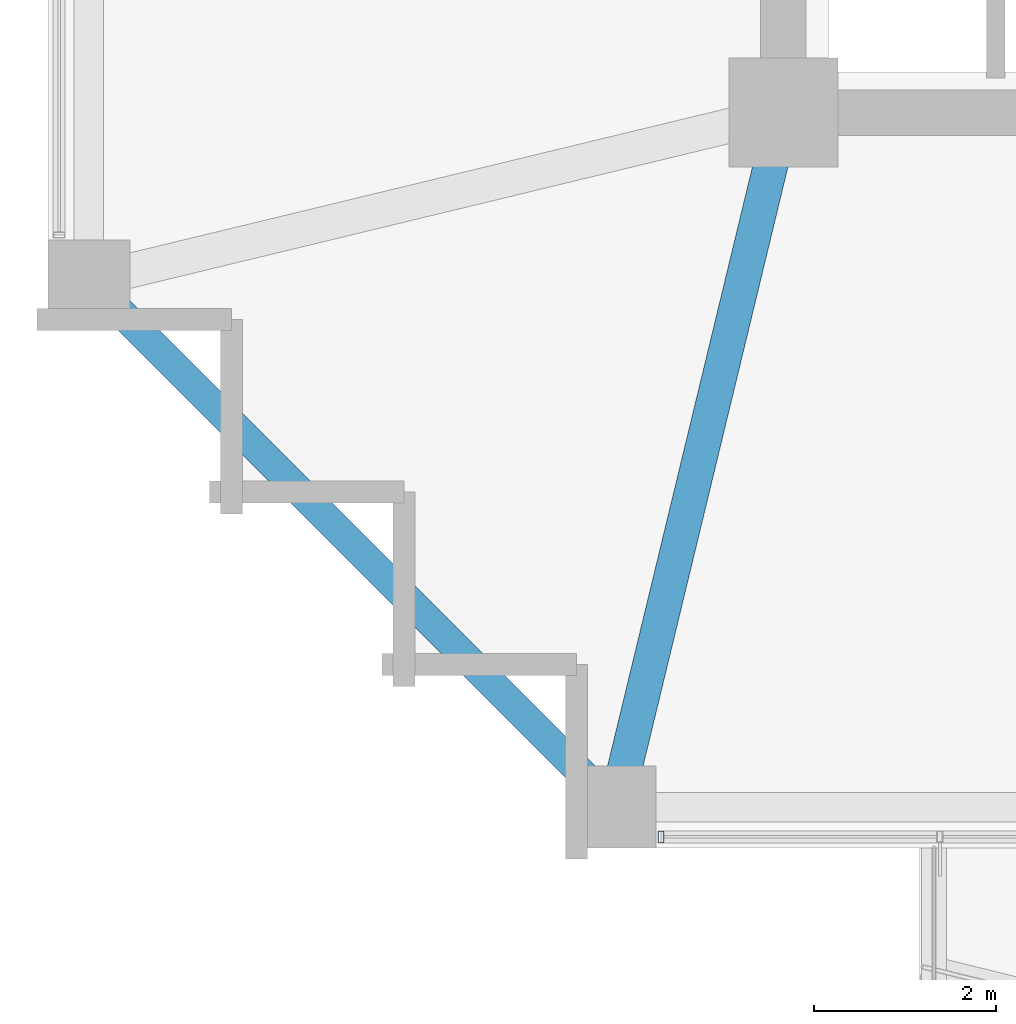
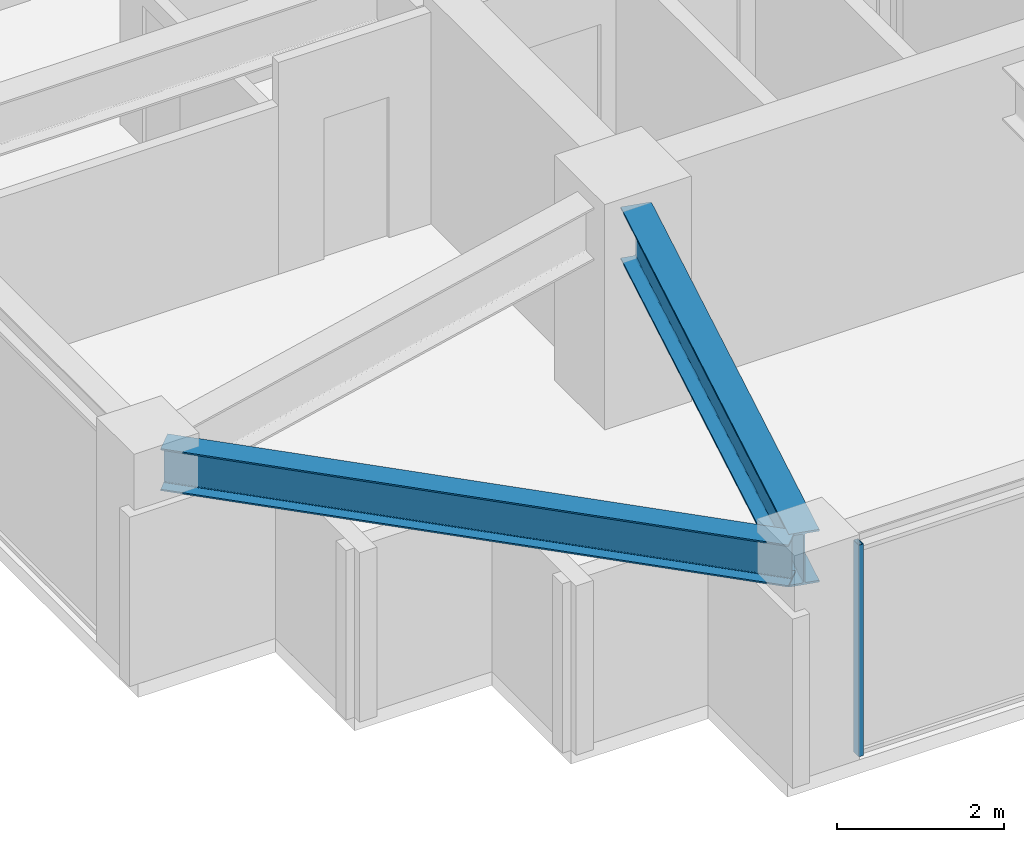
# One storey, part 2 of 31: 2 beams, 1 member, 1 element without a shape of its own.
"""IFC4 building model written with IfcOpenShell, lengths in metres."""

from ifc_helpers import new_model, si_unit, direction, frame, origin, origin_2d, place, context, subcontext, project, spatial, hollow_rectangle, i_section, extrude, material, material_profile, profile_set, type_object, element, aggregate, save


model = new_model("IFC4")

# Units and contexts
model_context = context("Model", 3, precision=1e-05, world=origin(), true_north=direction((0.0, 1.0)))
body_context = subcontext(model_context, "Body", "Model", "MODEL_VIEW")
ifc_project = project(units=[si_unit("LENGTHUNIT", "METRE"), si_unit("AREAUNIT", "SQUARE_METRE"), si_unit("VOLUMEUNIT", "CUBIC_METRE"), si_unit("PLANEANGLEUNIT", "RADIAN"), si_unit("MASSUNIT", "GRAM", prefix="KILO")], contexts=[model_context])

# Site, building, storey
site_placement = place(None, origin())
site = spatial("IfcSite", under=ifc_project, at=site_placement, CompositionType="ELEMENT")
building_placement = place(site_placement, origin())
building = spatial("IfcBuilding", under=site, at=building_placement, Name="Kolvaren Belvedere", CompositionType="ELEMENT")
storey_placement = place(building_placement, frame((0.0, 0.0, 138.199951171875)))
storey = spatial("IfcBuildingStorey", under=building, at=storey_placement, Name="L40", CompositionType="ELEMENT", Elevation=138.199951171875)

# Beams
ifc_material_1 = material(Name="Structural steel ASTM A992 Grade 50", Category="steel")
ifc_material_profile_1 = material_profile(ifc_material_1, i_section(OverallWidth=0.381103515625, OverallDepth=0.77294921875, WebThickness=0.0166015625, FlangeThickness=0.027099609375, FilletRadius=0.02392578125, at=origin_2d()), Name="W30X173")
ifc_profile_set_1 = profile_set([ifc_material_profile_1], Name="Structural steel ASTM A992 Grade 50")
beam_type_1 = type_object("IfcBeamType", Name="BM-GIRD-W30X173", PredefinedType="BEAM", material=ifc_profile_set_1)
beam_1_placement = place(storey_placement, frame((-10.029296875, -10.4345703125, 2.713623046875), z_axis=(-0.235062749937, -0.971980197119, 0.0), x_axis=(0.971980197119, -0.235062749937, 0.0)))
element("IfcBeam", 1, at=beam_1_placement, inside=storey, type_object=beam_type_1, Name="L40 Corner Core-to-Perimeter Girder CC1-S1", PredefinedType="BEAM", context=body_context, shape_type="SweptSolid", body=[
    extrude(i_section(OverallWidth=0.381103515625, OverallDepth=0.77294921875, WebThickness=0.0166015625, FlangeThickness=0.027099609375, FilletRadius=0.02392578125, at=origin_2d()), origin(), (0.0, 0.0, 1.0), 7.140625),
])
ifc_material_2 = material(Name="Structural steel ASTM A992 Grade 50", Category="steel")
ifc_material_profile_2 = material_profile(ifc_material_2, i_section(OverallWidth=0.324951171875, OverallDepth=0.615966796875, WebThickness=0.013916015625, FlangeThickness=0.021484375, FilletRadius=0.02001953125, at=origin_2d()), Name="W24X117")
ifc_profile_set_2 = profile_set([ifc_material_profile_2], Name="Structural steel ASTM A992 Grade 50")
beam_type_2 = type_object("IfcBeamType", Name="BM-SPAN-W24X117", PredefinedType="SPANDREL", material=ifc_profile_set_2)
beam_2_placement = place(storey_placement, frame((-17.40673828125, -11.893310546875, 2.7919921875), z_axis=(0.707106781187, -0.707106781187, 0.0), x_axis=(0.707106781187, 0.707106781187, 0.0)))
element("IfcBeam", 2, at=beam_2_placement, inside=storey, type_object=beam_type_2, Name="L40 Perimeter Spandrel W1-S1", PredefinedType="SPANDREL", context=body_context, shape_type="SweptSolid", body=[
    extrude(i_section(OverallWidth=0.324951171875, OverallDepth=0.615966796875, WebThickness=0.013916015625, FlangeThickness=0.021484375, FilletRadius=0.02001953125, at=origin_2d()), origin(), (0.0, 0.0, 1.0), 7.797119140625),
])

# Curtain wall, member
ifc_material_3 = material(Name="Anodised pale-metal aluminium AA 6063-T6", Category="aluminium")
curtain_wall_type = type_object("IfcCurtainWallType", Name="CW-Z3-WAIST", PredefinedType="NOTDEFINED", material=ifc_material_3)
curtain_wall_placement = place(storey_placement, origin())
curtain_wall = element("IfcCurtainWall", 3, at=curtain_wall_placement, inside=storey, type_object=curtain_wall_type, Name="L40 Unitised Curtain Wall FCW-L40-S2-B2", PredefinedType="NOTDEFINED")
ifc_material_4 = material(Name="Anodised pale-metal aluminium AA 6063-T6", Category="aluminium")
ifc_material_profile_3 = material_profile(ifc_material_4, hollow_rectangle(XDim=0.06494140625, YDim=0.1298828125, WallThickness=0.00390625, at=origin_2d()), Name="ALU-MUL-130X65")
ifc_profile_set_3 = profile_set([ifc_material_profile_3], Name="Anodised pale-metal aluminium AA 6063-T6")
member_type = type_object("IfcMemberType", Name="CW-MUL-130", PredefinedType="MULLION", material=ifc_profile_set_3)
member_placement = place(storey_placement, frame((-11.24755859375, -17.8798828125, 0.0), z_axis=(0.0, 0.0, 1.0), x_axis=(1.0, 0.0, 0.0)))
member = element("IfcMember", 4, at=member_placement, type_object=member_type, Name="FCW-L40-S2-B2 Unitised Mullion 3", PredefinedType="MULLION", context=body_context, shape_type="SweptSolid", body=[
    extrude(hollow_rectangle(XDim=0.06494140625, YDim=0.1298828125, WallThickness=0.00390625, at=origin_2d()), origin(), (0.0, 0.0, 1.0), 3.10009765625),
])
aggregate(curtain_wall, [member])

save(model, "model.ifc")
